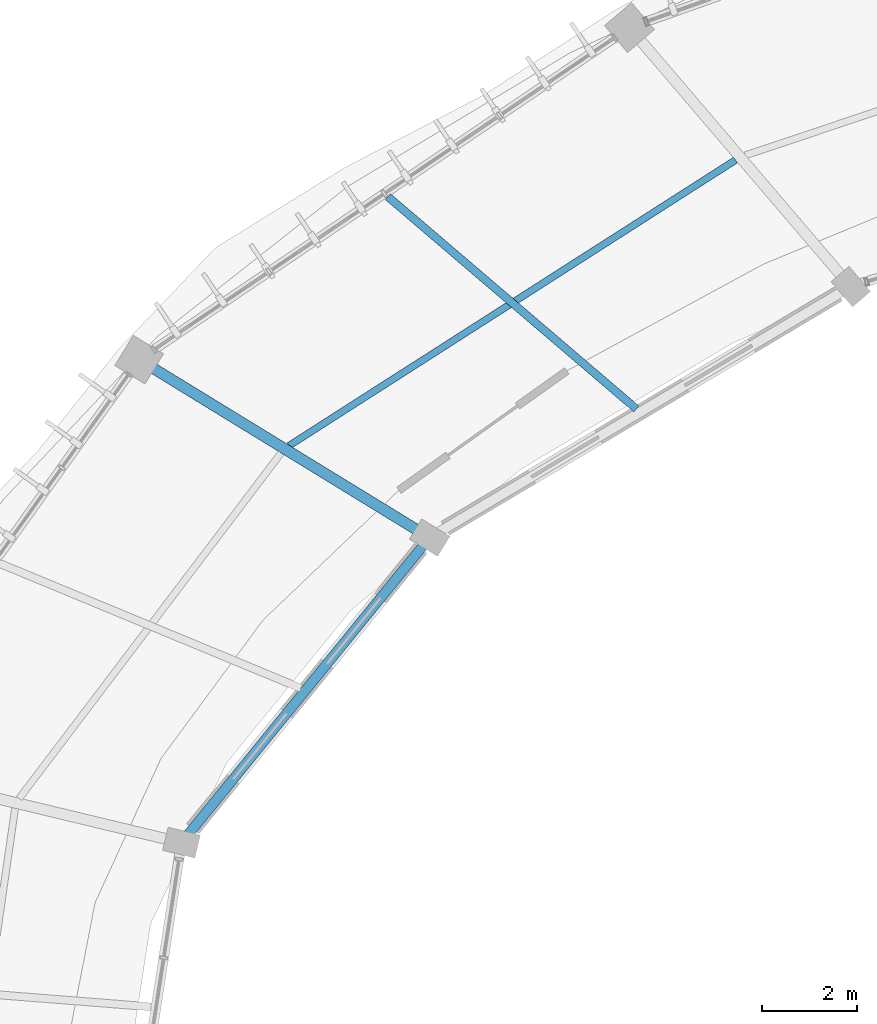
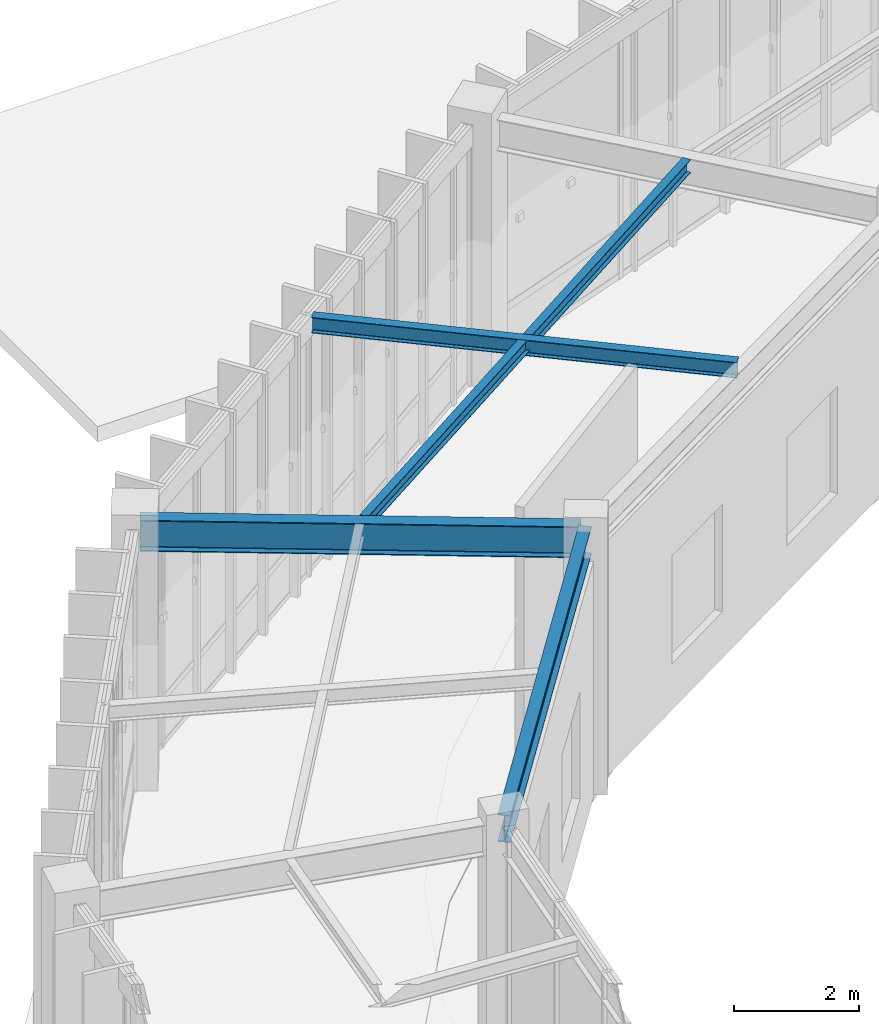
# One storey, part 51 of 157: 4 beams.
"""IFC4 building model written with IfcOpenShell, lengths in metres."""

from ifc_helpers import new_model, si_unit, direction, frame, origin, origin_2d, place, context, subcontext, project, spatial, i_section, extrude, material, material_profile, profile_set, type_object, element, save


model = new_model("IFC4")

# Units and contexts
model_context = context("Model", 3, precision=1e-05, world=origin(), true_north=direction((0.0, 1.0)))
body_context = subcontext(model_context, "Body", "Model", "MODEL_VIEW")
ifc_project = project(units=[si_unit("LENGTHUNIT", "METRE"), si_unit("AREAUNIT", "SQUARE_METRE"), si_unit("VOLUMEUNIT", "CUBIC_METRE"), si_unit("PLANEANGLEUNIT", "RADIAN"), si_unit("MASSUNIT", "GRAM", prefix="KILO"), si_unit("THERMODYNAMICTEMPERATUREUNIT", "KELVIN"), si_unit("POWERUNIT", "WATT")], contexts=[model_context])

# Site, building, storey
site_placement = place(None, origin())
site = spatial("IfcSite", under=ifc_project, at=site_placement, CompositionType="ELEMENT")
building_placement = place(site_placement, origin())
building = spatial("IfcBuilding", under=site, at=building_placement, Name="Darbajah Civic Hall", CompositionType="ELEMENT")
storey_placement = place(building_placement, origin())
storey = spatial("IfcBuildingStorey", under=building, at=storey_placement, Name="L00", CompositionType="ELEMENT", Elevation=0.0)

# Beams
ifc_material = material(Name="Steel S355JR", Category="steel")
ifc_material_profile_1 = material_profile(ifc_material, i_section(OverallWidth=0.146484375, OverallDepth=0.256103515625, WebThickness=0.00634765625, FlangeThickness=0.010986328125, FilletRadius=0.007568359375, at=origin_2d()), Name="UB 254x146x37")
ifc_profile_set_1 = profile_set([ifc_material_profile_1], Name="Steel S355JR")
beam_type_1 = type_object("IfcBeamType", Name="UB 254x146x37", PredefinedType="JOIST", material=ifc_profile_set_1)
beam_1_placement = place(storey_placement, frame((58.218505859375, 109.431884765625, 4.991943359375), z_axis=(-0.842364011789, -0.538908964152, 0.0), x_axis=(0.538908964152, -0.842364011789, 0.0)))
element("IfcBeam", 1, at=beam_1_placement, inside=storey, type_object=beam_type_1, Name="L00 beam SJ-254", PredefinedType="JOIST", context=body_context, shape_type="SweptSolid", body=[
    extrude(i_section(OverallWidth=0.146484375, OverallDepth=0.256103515625, WebThickness=0.00634765625, FlangeThickness=0.010986328125, FilletRadius=0.007568359375, at=origin_2d()), origin(), (0.0, 0.0, 1.0), 11.20166015625),
])
ifc_material_profile_2 = material_profile(ifc_material, i_section(OverallWidth=0.165771484375, OverallDepth=0.306640625, WebThickness=0.006591796875, FlangeThickness=0.01171875, FilletRadius=0.0087890625, at=origin_2d()), Name="UB 305x165x46")
ifc_profile_set_2 = profile_set([ifc_material_profile_2], Name="Steel S355JR")
beam_type_2 = type_object("IfcBeamType", Name="UB 305x165x46", PredefinedType="JOIST", material=ifc_profile_set_2)
beam_2_placement = place(storey_placement, frame((56.123779296875, 104.173095703125, 4.966796875), z_axis=(-0.760413700639, 0.649438991654, 0.0), x_axis=(-0.649438991654, -0.760413700639, 0.0)))
element("IfcBeam", 2, at=beam_2_placement, inside=storey, type_object=beam_type_2, Name="L00 beam SJ-305", PredefinedType="JOIST", context=body_context, shape_type="SweptSolid", body=[
    extrude(i_section(OverallWidth=0.165771484375, OverallDepth=0.306640625, WebThickness=0.006591796875, FlangeThickness=0.01171875, FilletRadius=0.0087890625, at=origin_2d()), origin(), (0.0, 0.0, 1.0), 6.903564453125),
])
ifc_material_profile_3 = material_profile(ifc_material, i_section(OverallWidth=0.209228515625, OverallDepth=0.533203125, WebThickness=0.010009765625, FlangeThickness=0.015625, FilletRadius=0.0126953125, at=origin_2d()), Name="UB 533x210x92")
ifc_profile_set_3 = profile_set([ifc_material_profile_3], Name="Steel S355JR")
beam_type_3 = type_object("IfcBeamType", Name="UB 533x210x92", PredefinedType="BEAM", material=ifc_profile_set_3)
beam_3_placement = place(storey_placement, frame((51.703857421875, 101.3896484375, 4.853515625), z_axis=(-0.63108196788, -0.775716152866, 0.0), x_axis=(0.775716152866, -0.63108196788, 0.0)))
element("IfcBeam", 3, at=beam_3_placement, inside=storey, type_object=beam_type_3, Name="L00 beam SB-533", PredefinedType="BEAM", context=body_context, shape_type="SweptSolid", body=[
    extrude(i_section(OverallWidth=0.209228515625, OverallDepth=0.533203125, WebThickness=0.010009765625, FlangeThickness=0.015625, FilletRadius=0.0126953125, at=origin_2d()), origin(), (0.0, 0.0, 1.0), 8.149658203125),
])
ifc_material_profile_4 = material_profile(ifc_material, i_section(OverallWidth=0.228271484375, OverallDepth=0.607666015625, WebThickness=0.010986328125, FlangeThickness=0.017333984375, FilletRadius=0.0126953125, at=origin_2d()), Name="UB 610x229x113")
ifc_profile_set_4 = profile_set([ifc_material_profile_4], Name="Steel S355JR")
beam_type_4 = type_object("IfcBeamType", Name="UB 610x229x113", PredefinedType="BEAM", material=ifc_profile_set_4)
beam_4_placement = place(storey_placement, frame((51.686279296875, 101.493408203125, 4.816162109375), z_axis=(-0.852639128905, 0.522500254411, 0.0), x_axis=(-0.522500254411, -0.852639128905, 0.0)))
element("IfcBeam", 4, at=beam_4_placement, inside=storey, type_object=beam_type_4, Name="L00 beam SB-610", PredefinedType="BEAM", context=body_context, shape_type="SweptSolid", body=[
    extrude(i_section(OverallWidth=0.228271484375, OverallDepth=0.607666015625, WebThickness=0.010986328125, FlangeThickness=0.017333984375, FilletRadius=0.0126953125, at=origin_2d()), origin(), (0.0, 0.0, 1.0), 7.0400390625),
])

save(model, "model.ifc")
